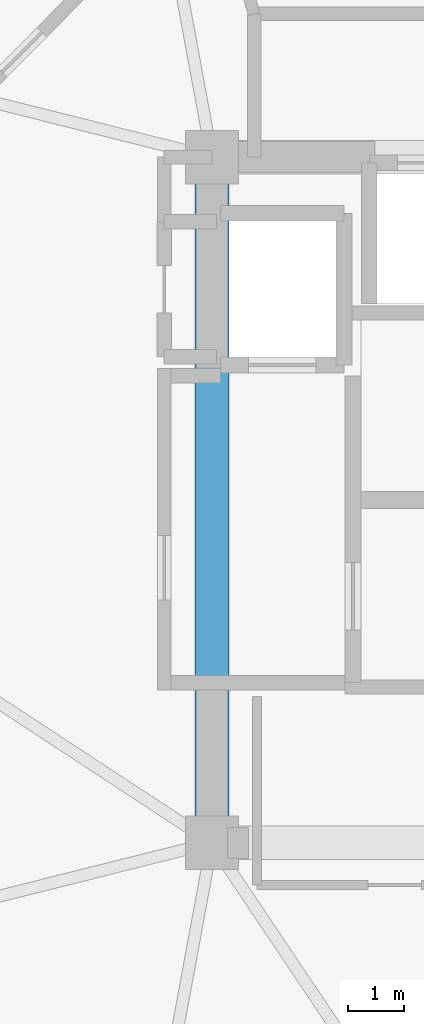
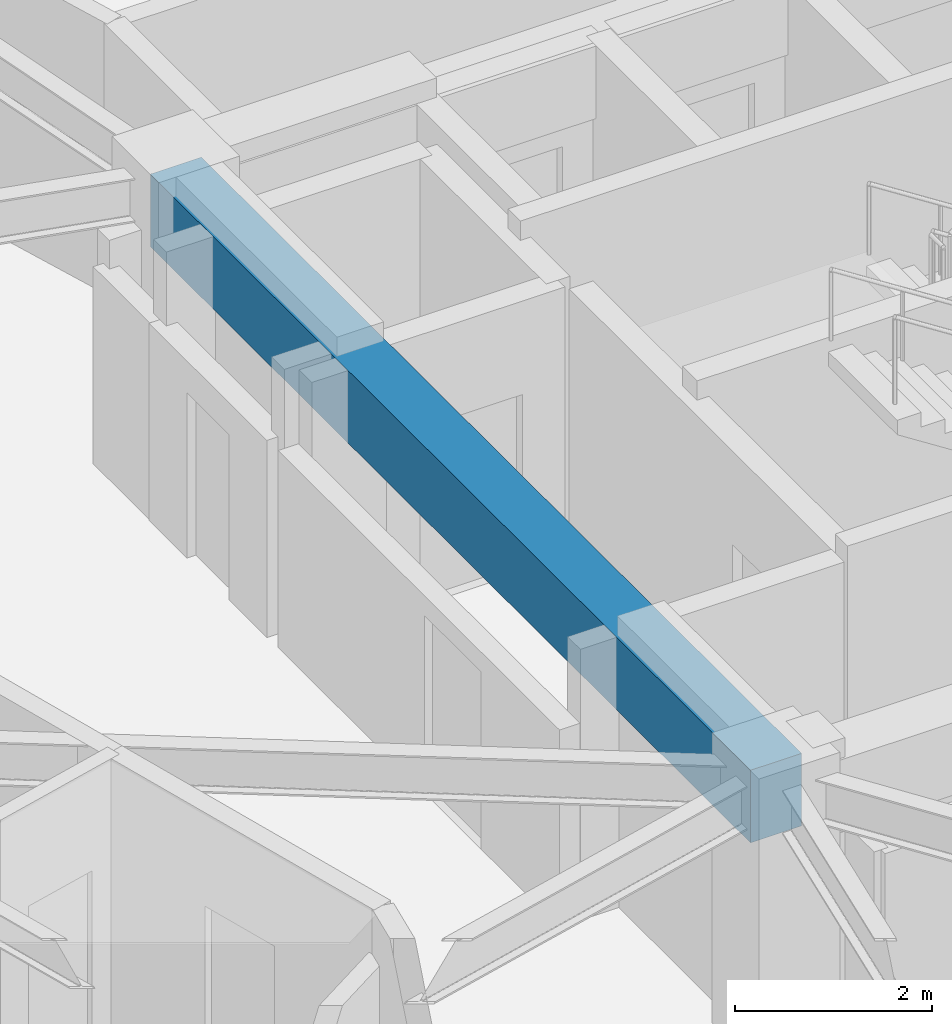
# One storey, part 7 of 20: 1 beam.
"""IFC4 building model written with IfcOpenShell, lengths in metres."""

from ifc_helpers import new_model, si_unit, direction, frame, origin, origin_2d, place, context, subcontext, project, spatial, rectangle, extrude, material, material_profile, profile_set, type_object, element, save


model = new_model("IFC4")

# Units and contexts
model_context = context("Model", 3, precision=1e-05, world=origin(), true_north=direction((0.0, 1.0)))
body_context = subcontext(model_context, "Body", "Model", "MODEL_VIEW")
ifc_project = project(units=[si_unit("LENGTHUNIT", "METRE"), si_unit("AREAUNIT", "SQUARE_METRE"), si_unit("VOLUMEUNIT", "CUBIC_METRE"), si_unit("PLANEANGLEUNIT", "RADIAN"), si_unit("MASSUNIT", "GRAM", prefix="KILO")], contexts=[model_context])

# Site, building, storey
site_placement = place(None, origin())
site = spatial("IfcSite", under=ifc_project, at=site_placement, CompositionType="ELEMENT")
building_placement = place(site_placement, origin())
building = spatial("IfcBuilding", under=site, at=building_placement, Name="Solvirekh Grand Hotel", CompositionType="ELEMENT")
storey_placement = place(building_placement, frame((0.0, 0.0, 194.800048828125)))
storey = spatial("IfcBuildingStorey", under=building, at=storey_placement, Name="L50", CompositionType="ELEMENT", Elevation=194.800048828125)

# Beam
ifc_material = material(Name="Concrete C50/60", Category="concrete")
ifc_material_profile = material_profile(ifc_material, rectangle(XDim=0.60009765625, YDim=0.89990234375, at=origin_2d()), Name="RC BEAM 600X900")
ifc_profile_set = profile_set([ifc_material_profile], Name="Concrete C50/60")
beam_type = type_object("IfcBeamType", Name="Beam_Core_RC900", PredefinedType="BEAM", material=ifc_profile_set)
beam_placement = place(storey_placement, frame((-6.5, 6.10009765625, 2.909912109375), z_axis=(0.0, -1.0, 0.0), x_axis=(1.0, 0.0, 0.0)))
element("IfcBeam", 1, at=beam_placement, inside=storey, type_object=beam_type, Name="L50 core coupling ring beam 4", PredefinedType="BEAM", context=body_context, shape_type="SweptSolid", body=[
    extrude(rectangle(XDim=0.60009765625, YDim=0.89990234375, at=origin_2d()), origin(), (0.0, 0.0, 1.0), 12.2001953125),
])

save(model, "model.ifc")
